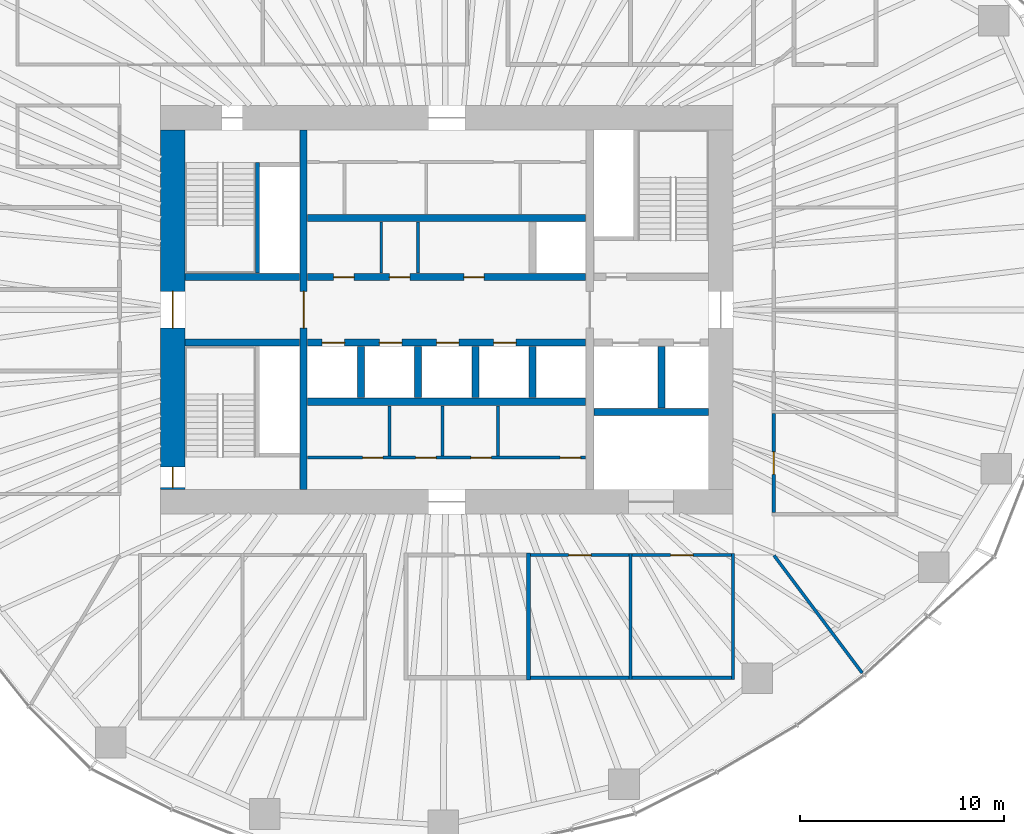
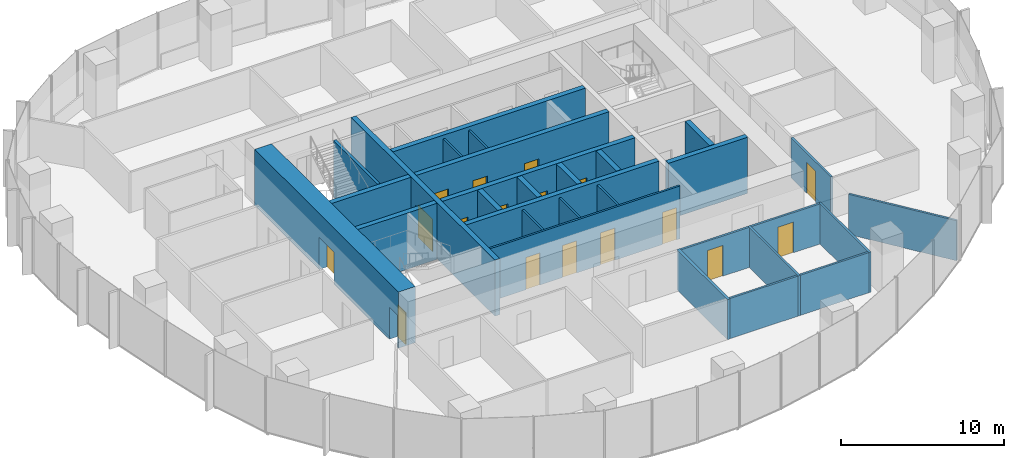
# One storey, part 9 of 18: 30 walls, 17 doors, 17 openings.
"""IFC4 building model written with IfcOpenShell, lengths in metres."""

from ifc_helpers import new_model, si_unit, direction, frame, frame_2d, origin, place, context, subcontext, project, spatial, rectangle, extrude, material, layer, layer_set, type_object, element, fill, save


model = new_model("IFC4")

# Units and contexts
model_context = context("Model", 3, precision=1e-05, world=origin(), true_north=direction((0.0, 1.0)))
body_context = subcontext(model_context, "Body", "Model", "MODEL_VIEW")
ifc_project = project(units=[si_unit("LENGTHUNIT", "METRE"), si_unit("AREAUNIT", "SQUARE_METRE"), si_unit("VOLUMEUNIT", "CUBIC_METRE"), si_unit("PLANEANGLEUNIT", "RADIAN"), si_unit("MASSUNIT", "GRAM", prefix="KILO")], contexts=[model_context])

# Site, building, storey
site_placement = place(None, origin())
site = spatial("IfcSite", under=ifc_project, at=site_placement, CompositionType="ELEMENT")
building_placement = place(site_placement, origin())
building = spatial("IfcBuilding", under=site, at=building_placement, Name="Ghaith Harvest Tower", CompositionType="ELEMENT")
storey_placement = place(building_placement, frame((0.0, 0.0, 130.199951171875)))
storey = spatial("IfcBuildingStorey", under=building, at=storey_placement, Name="L27", CompositionType="ELEMENT", Elevation=130.199951171875)

# Wall
ifc_material_1 = material(Name="Twin-stud gypsum board, acoustic", Category="gypsum")
ifc_layer_1 = layer(ifc_material_1, 0.199951171875)
ifc_layer_set_1 = layer_set([ifc_layer_1], Name="ACOUSTIC PARTITION 200")
wall_type_1 = type_object("IfcWallType", Name="ACOUSTIC PARTITION 200", PredefinedType="PARTITIONING", material=ifc_layer_set_1)
wall_1_placement = place(storey_placement, frame((4.0, -11.89990234375, 0.0), z_axis=(0.0, 0.0, 1.0), x_axis=(0.0, -1.0, 0.0)))
element("IfcWall", 1, at=wall_1_placement, inside=storey, type_object=wall_type_1, Name="Partition L27 row S5 cross wall 2", PredefinedType="PARTITIONING", context=body_context, shape_type="SweptSolid", body=[
    extrude(rectangle(XDim=6.2001953125, YDim=0.199951171875, at=frame_2d((3.10009765625, 0.0))), origin(), (0.0, 0.0, 1.0), 3.0),
])

# Wall, openings, doors
ifc_material_2 = material(Name="Concrete blockwork, fair-faced", Category="masonry")
ifc_layer_2 = layer(ifc_material_2, 0.139892578125)
ifc_layer_set_2 = layer_set([ifc_layer_2], Name="CORE PARTITION 140")
wall_type_2 = type_object("IfcWallType", Name="CORE PARTITION 140", PredefinedType="PARTITIONING", material=ifc_layer_set_2)
wall_2_placement = place(storey_placement, frame((-6.800048828125, -7.22998046875, 0.0), z_axis=(0.0, 0.0, 1.0), x_axis=(1.0, 0.0, 0.0)))
wall_2 = element("IfcWall", 2, at=wall_2_placement, inside=storey, type_object=wall_type_2, Name="Core partition L27", PredefinedType="PARTITIONING", context=body_context, shape_type="SweptSolid", body=[
    extrude(rectangle(XDim=13.60009765625, YDim=0.139892578125, at=frame_2d((6.800048828125, 0.0))), origin(), (0.0, 0.0, 1.0), 3.949951171875),
])
opening_1_placement = place(wall_2_placement, frame((2.679931640625, 0.0, 0.0)))
opening_1 = element("IfcOpeningElement", 3, at=opening_1_placement, cuts=wall_2, Name="Opening 27-012", PredefinedType="OPENING", context=body_context, shape_type="SweptSolid", body=[
    extrude(rectangle(XDim=1.0, YDim=2.39990234375, at=frame_2d((0.5, 1.199951171875))), frame((0.0, 0.080078125, 0.0), z_axis=(0.0, -1.0, 0.0), x_axis=(1.0, 0.0, 0.0)), (0.0, 0.0, 1.0), 0.159912109375),
])
opening_2_placement = place(wall_2_placement, frame((5.280029296875, 0.0, 0.0)))
opening_2 = element("IfcOpeningElement", 4, at=opening_2_placement, cuts=wall_2, Name="Opening 27-013", PredefinedType="OPENING", context=body_context, shape_type="SweptSolid", body=[
    extrude(rectangle(XDim=1.0, YDim=2.39990234375, at=frame_2d((0.5, 1.199951171875))), frame((0.0, 0.080078125, 0.0), z_axis=(0.0, -1.0, 0.0), x_axis=(1.0, 0.0, 0.0)), (0.0, 0.0, 1.0), 0.159912109375),
])
opening_3_placement = place(wall_2_placement, frame((7.97998046875, 0.0, 0.0)))
opening_3 = element("IfcOpeningElement", 5, at=opening_3_placement, cuts=wall_2, Name="Opening 27-014", PredefinedType="OPENING", context=body_context, shape_type="SweptSolid", body=[
    extrude(rectangle(XDim=1.0, YDim=2.39990234375, at=frame_2d((0.5, 1.199951171875))), frame((0.0, 0.080078125, 0.0), z_axis=(0.0, -1.0, 0.0), x_axis=(1.0, 0.0, 0.0)), (0.0, 0.0, 1.0), 0.159912109375),
])
opening_4_placement = place(wall_2_placement, frame((12.35009765625, 0.0, 0.0)))
opening_4 = element("IfcOpeningElement", 6, at=opening_4_placement, cuts=wall_2, Name="Opening 27-015", PredefinedType="OPENING", context=body_context, shape_type="SweptSolid", body=[
    extrude(rectangle(XDim=1.0, YDim=2.39990234375, at=frame_2d((0.5, 1.199951171875))), frame((0.0, 0.080078125, 0.0), z_axis=(0.0, -1.0, 0.0), x_axis=(1.0, 0.0, 0.0)), (0.0, 0.0, 1.0), 0.159912109375),
])
ifc_material_3 = material(Name="Steel fire door", Category="steel")
door_type_1 = type_object("IfcDoorType", Name="D3 FD90 1000x2400", OperationType="SINGLE_SWING_LEFT", PredefinedType="DOOR", material=ifc_material_3)
door_1_placement = place(opening_1_placement, origin())
door_1 = element("IfcDoor", 7, at=door_1_placement, inside=storey, type_object=door_type_1, Name="Electrical room door", OperationType="SINGLE_SWING_LEFT", OverallHeight=2.39990234375, OverallWidth=1.0, PredefinedType="DOOR", context=body_context, shape_type="SweptSolid", body=[
    extrude(rectangle(XDim=1.0, YDim=2.39990234375, at=frame_2d((0.5, 1.199951171875))), frame((0.0, 0.02490234375, 0.0), z_axis=(0.0, -1.0, 0.0), x_axis=(1.0, 0.0, 0.0)), (0.0, 0.0, 1.0), 0.050048828125),
])
fill(opening_1, door_1)
door_2_placement = place(opening_2_placement, origin())
door_2 = element("IfcDoor", 8, at=door_2_placement, inside=storey, type_object=door_type_1, Name="Communications equipment room door", OperationType="SINGLE_SWING_LEFT", OverallHeight=2.39990234375, OverallWidth=1.0, PredefinedType="DOOR", context=body_context, shape_type="SweptSolid", body=[
    extrude(rectangle(XDim=1.0, YDim=2.39990234375, at=frame_2d((0.5, 1.199951171875))), frame((0.0, 0.02490234375, 0.0), z_axis=(0.0, -1.0, 0.0), x_axis=(1.0, 0.0, 0.0)), (0.0, 0.0, 1.0), 0.050048828125),
])
fill(opening_2, door_2)
door_3_placement = place(opening_3_placement, origin())
door_3 = element("IfcDoor", 9, at=door_3_placement, inside=storey, type_object=door_type_1, Name="Staff WC door", OperationType="SINGLE_SWING_RIGHT", OverallHeight=2.39990234375, OverallWidth=1.0, PredefinedType="DOOR", context=body_context, shape_type="SweptSolid", body=[
    extrude(rectangle(XDim=1.0, YDim=2.39990234375, at=frame_2d((0.5, 1.199951171875))), frame((0.0, 0.02490234375, 0.0), z_axis=(0.0, -1.0, 0.0), x_axis=(1.0, 0.0, 0.0)), (0.0, 0.0, 1.0), 0.050048828125),
])
fill(opening_3, door_3)
door_4_placement = place(opening_4_placement, origin())
door_4 = element("IfcDoor", 10, at=door_4_placement, inside=storey, type_object=door_type_1, Name="Riser room door", OperationType="SINGLE_SWING_RIGHT", OverallHeight=2.39990234375, OverallWidth=1.0, PredefinedType="DOOR", context=body_context, shape_type="SweptSolid", body=[
    extrude(rectangle(XDim=1.0, YDim=2.39990234375, at=frame_2d((0.5, 1.199951171875))), frame((0.0, 0.02490234375, 0.0), z_axis=(0.0, -1.0, 0.0), x_axis=(1.0, 0.0, 0.0)), (0.0, 0.0, 1.0), 0.050048828125),
])
fill(opening_4, door_4)

# Walls
for number, where, z_axis, x_axis, name in (
    (11, (-2.800048828125, -4.699951171875, 0.0), (0.0, 0.0, 1.0), (0.0, -1.0, 0.0), "Core partition L27"),
    (12, (-0.199951171875, -4.699951171875, 0.0), (0.0, 0.0, 1.0), (0.0, -1.0, 0.0), "Core partition L27"),
    (13, (2.5, -4.699951171875, 0.0), (0.0, 0.0, 1.0), (0.0, -1.0, 0.0), "Core partition L27"),
):
    element("IfcWall", number, at=place(storey_placement, frame(where, z_axis=z_axis, x_axis=x_axis)), inside=storey, type_object=wall_type_2, Name=name, PredefinedType="PARTITIONING", context=body_context, shape_type="SweptSolid", body=[
        extrude(rectangle(XDim=2.4599609375, YDim=0.139892578125, at=frame_2d((1.22998046875, 0.0))), origin(), (0.0, 0.0, 1.0), 3.949951171875),
    ])
for number, where, z_axis, x_axis, name in (
    (14, (-3.199951171875, 1.800048828125, 0.0), (0.0, 0.0, 1.0), (0.0, 1.0, 0.0), "Core partition L27"),
    (15, (-1.39990234375, 1.800048828125, 0.0), (0.0, 0.0, 1.0), (0.0, 1.0, 0.0), "Core partition L27"),
):
    element("IfcWall", number, at=place(storey_placement, frame(where, z_axis=z_axis, x_axis=x_axis)), inside=storey, type_object=wall_type_2, Name=name, PredefinedType="PARTITIONING", context=body_context, shape_type="SweptSolid", body=[
        extrude(rectangle(XDim=2.5, YDim=0.139892578125, at=frame_2d((1.25, 0.0))), origin(), (0.0, 0.0, 1.0), 3.949951171875),
    ])

# Wall, openings, doors
ifc_material_4 = material(Name="Concrete C60/75", Category="concrete")
ifc_layer_3 = layer(ifc_material_4, 1.199951171875)
ifc_layer_set_3 = layer_set([ifc_layer_3], Name="CORE WALL CW1200 C60")
wall_type_3 = type_object("IfcWallType", Name="CORE WALL CW1200 C60", PredefinedType="SHEAR", material=ifc_layer_set_3)
wall_3_placement = place(storey_placement, frame((-13.39990234375, 8.800048828125, 0.0), z_axis=(0.0, 0.0, 1.0), x_axis=(0.0, -1.0, 0.0)))
wall_3 = element("IfcWall", 16, at=wall_3_placement, inside=storey, type_object=wall_type_3, Name="Core wall W L27", PredefinedType="SHEAR", context=body_context, shape_type="SweptSolid", body=[
    extrude(rectangle(XDim=17.60009765625, YDim=1.199951171875, at=frame_2d((8.800048828125, 0.0))), origin(), (0.0, 0.0, 1.0), 4.199951171875),
])
opening_5_placement = place(wall_3_placement, frame((7.89990234375, 0.0, 0.0)))
opening_5 = element("IfcOpeningElement", 17, at=opening_5_placement, cuts=wall_3, Name="Opening 27-001", PredefinedType="OPENING", context=body_context, shape_type="SweptSolid", body=[
    extrude(rectangle(XDim=1.800048828125, YDim=2.39990234375, at=frame_2d((0.89990234375, 1.199951171875))), frame((0.0, 0.60986328125, 0.0), z_axis=(0.0, -1.0, 0.0), x_axis=(1.0, 0.0, 0.0)), (0.0, 0.0, 1.0), 1.219970703125),
])
opening_6_placement = place(wall_3_placement, frame((16.5, 0.0, 0.0)))
opening_6 = element("IfcOpeningElement", 18, at=opening_6_placement, cuts=wall_3, Name="Opening 27-006", PredefinedType="OPENING", context=body_context, shape_type="SweptSolid", body=[
    extrude(rectangle(XDim=1.0, YDim=2.39990234375, at=frame_2d((0.5, 1.199951171875))), frame((0.0, 0.60986328125, 0.0), z_axis=(0.0, -1.0, 0.0), x_axis=(1.0, 0.0, 0.0)), (0.0, 0.0, 1.0), 1.219970703125),
])
door_5_placement = place(opening_6_placement, origin())
door_5 = element("IfcDoor", 19, at=door_5_placement, inside=storey, type_object=door_type_1, Name="Stair ST3 door", OperationType="SINGLE_SWING_RIGHT", OverallHeight=2.39990234375, OverallWidth=1.0, PredefinedType="DOOR", context=body_context, shape_type="SweptSolid", body=[
    extrude(rectangle(XDim=1.0, YDim=2.39990234375, at=frame_2d((0.5, 1.199951171875))), frame((0.0, 0.02490234375, 0.0), z_axis=(0.0, -1.0, 0.0), x_axis=(1.0, 0.0, 0.0)), (0.0, 0.0, 1.0), 0.050048828125),
])
fill(opening_6, door_5)
ifc_material_5 = material(Name="Steel fire door", Category="steel")
door_type_2 = type_object("IfcDoorType", Name="D4 FD90 PAIR 1800x2400", OperationType="DOUBLE_DOOR_SINGLE_SWING", PredefinedType="DOOR", material=ifc_material_5)
door_6_placement = place(opening_5_placement, origin())
door_6 = element("IfcDoor", 20, at=door_6_placement, inside=storey, type_object=door_type_2, Name="West lobby doors", OperationType="DOUBLE_DOOR_SINGLE_SWING", OverallHeight=2.39990234375, OverallWidth=1.800048828125, PredefinedType="DOOR", context=body_context, shape_type="SweptSolid", body=[
    extrude(rectangle(XDim=1.800048828125, YDim=2.39990234375, at=frame_2d((0.89990234375, 1.199951171875))), frame((0.0, 0.02490234375, 0.0), z_axis=(0.0, -1.0, 0.0), x_axis=(1.0, 0.0, 0.0)), (0.0, 0.0, 1.0), 0.050048828125),
])
fill(opening_5, door_6)

# Wall, opening, door
ifc_material_6 = material(Name="Gypsum board on steel studs", Category="steel")
ifc_layer_4 = layer(ifc_material_6, 0.14990234375)
ifc_layer_set_4 = layer_set([ifc_layer_4], Name="PARTITION 150")
wall_type_4 = type_object("IfcWallType", Name="PARTITION 150", PredefinedType="PARTITIONING", material=ifc_layer_set_4)
wall_4_placement = place(storey_placement, frame((16.0, -9.925048828125, 0.0), z_axis=(0.0, 0.0, 1.0), x_axis=(0.0, 1.0, 0.0)))
wall_4 = element("IfcWall", 21, at=wall_4_placement, inside=storey, type_object=wall_type_4, Name="Partition L27-06", PredefinedType="PARTITIONING", context=body_context, shape_type="SweptSolid", body=[
    extrude(rectangle(XDim=4.85009765625, YDim=0.14990234375, at=frame_2d((2.425048828125, 0.0))), origin(), (0.0, 0.0, 1.0), 3.0),
])
opening_7_placement = place(wall_4_placement, frame((1.875, 0.0, 0.0)))
opening_7 = element("IfcOpeningElement", 22, at=opening_7_placement, cuts=wall_4, Name="Opening 27-033", PredefinedType="OPENING", context=body_context, shape_type="SweptSolid", body=[
    extrude(rectangle(XDim=1.10009765625, YDim=2.300048828125, at=frame_2d((0.550048828125, 1.14990234375))), frame((0.0, 0.0849609375, 0.0), z_axis=(0.0, -1.0, 0.0), x_axis=(1.0, 0.0, 0.0)), (0.0, 0.0, 1.0), 0.169921875),
])
ifc_material_7 = material(Name="Timber-framed glazed door", Category="wood")
door_type_3 = type_object("IfcDoorType", Name="D12 GLAZED OFFICE 1100x2300", OperationType="SINGLE_SWING_LEFT", PredefinedType="DOOR", material=ifc_material_7)
door_7_placement = place(opening_7_placement, origin())
door_7 = element("IfcDoor", 23, at=door_7_placement, inside=storey, type_object=door_type_3, Name="Office door", OperationType="SINGLE_SWING_LEFT", OverallHeight=2.300048828125, OverallWidth=1.10009765625, PredefinedType="DOOR", context=body_context, shape_type="SweptSolid", body=[
    extrude(rectangle(XDim=1.10009765625, YDim=2.300048828125, at=frame_2d((0.550048828125, 1.14990234375))), frame((0.0, 0.02490234375, 0.0), z_axis=(0.0, -1.0, 0.0), x_axis=(1.0, 0.0, 0.0)), (0.0, 0.0, 1.0), 0.050048828125),
])
fill(opening_7, door_7)

# Walls
for number, where, z_axis, x_axis, name in (
    (24, (9.0, -11.925048828125, 0.0), (0.0, 0.0, 1.0), (0.0, -1.0, 0.0), "Partition L27 row S5 cross wall 3"),
    (25, (14.0, -11.925048828125, 0.0), (0.0, 0.0, 1.0), (0.0, -1.0, 0.0), "Partition L27 row S5 cross wall 4"),
):
    element("IfcWall", number, at=place(storey_placement, frame(where, z_axis=z_axis, x_axis=x_axis)), inside=storey, type_object=wall_type_4, Name=name, PredefinedType="PARTITIONING", context=body_context, shape_type="SweptSolid", body=[
        extrude(rectangle(XDim=6.14990234375, YDim=0.14990234375, at=frame_2d((3.074951171875, 0.0))), origin(), (0.0, 0.0, 1.0), 3.0),
    ])

# Wall, opening, door
wall_5_placement = place(storey_placement, frame((4.10009765625, -12.0, 0.0), z_axis=(0.0, 0.0, 1.0), x_axis=(1.0, 0.0, 0.0)))
wall_5 = element("IfcWall", 26, at=wall_5_placement, inside=storey, type_object=wall_type_4, Name="Partition L27-13", PredefinedType="PARTITIONING", context=body_context, shape_type="SweptSolid", body=[
    extrude(rectangle(XDim=4.824951171875, YDim=0.14990234375, at=frame_2d((2.41259765625, 0.0))), origin(), (0.0, 0.0, 1.0), 3.0),
])
opening_8_placement = place(wall_5_placement, frame((1.862548828125, 0.0, 0.0)))
opening_8 = element("IfcOpeningElement", 27, at=opening_8_placement, cuts=wall_5, Name="Opening 27-040", PredefinedType="OPENING", context=body_context, shape_type="SweptSolid", body=[
    extrude(rectangle(XDim=1.10009765625, YDim=2.300048828125, at=frame_2d((0.550048828125, 1.14990234375))), frame((0.0, 0.0849609375, 0.0), z_axis=(0.0, -1.0, 0.0), x_axis=(1.0, 0.0, 0.0)), (0.0, 0.0, 1.0), 0.169921875),
])
door_8_placement = place(opening_8_placement, origin())
door_8 = element("IfcDoor", 28, at=door_8_placement, inside=storey, type_object=door_type_3, Name="Office door", OperationType="SINGLE_SWING_LEFT", OverallHeight=2.300048828125, OverallWidth=1.10009765625, PredefinedType="DOOR", context=body_context, shape_type="SweptSolid", body=[
    extrude(rectangle(XDim=1.10009765625, YDim=2.300048828125, at=frame_2d((0.550048828125, 1.14990234375))), frame((0.0, 0.02490234375, 0.0), z_axis=(0.0, -1.0, 0.0), x_axis=(1.0, 0.0, 0.0)), (0.0, 0.0, 1.0), 0.050048828125),
])
fill(opening_8, door_8)

# Wall
wall_6_placement = place(storey_placement, frame((4.10009765625, -18.0, 0.0), z_axis=(0.0, 0.0, 1.0), x_axis=(1.0, 0.0, 0.0)))
element("IfcWall", 29, at=wall_6_placement, inside=storey, type_object=wall_type_4, Name="Partition L27-13", PredefinedType="PARTITIONING", context=body_context, shape_type="SweptSolid", body=[
    extrude(rectangle(XDim=4.824951171875, YDim=0.14990234375, at=frame_2d((2.41259765625, 0.0))), origin(), (0.0, 0.0, 1.0), 3.0),
])

# Wall, opening, door
wall_7_placement = place(storey_placement, frame((9.074951171875, -12.0, 0.0), z_axis=(0.0, 0.0, 1.0), x_axis=(1.0, 0.0, 0.0)))
wall_7 = element("IfcWall", 30, at=wall_7_placement, inside=storey, type_object=wall_type_4, Name="Partition L27-14", PredefinedType="PARTITIONING", context=body_context, shape_type="SweptSolid", body=[
    extrude(rectangle(XDim=4.85009765625, YDim=0.14990234375, at=frame_2d((2.425048828125, 0.0))), origin(), (0.0, 0.0, 1.0), 3.0),
])
opening_9_placement = place(wall_7_placement, frame((1.875, 0.0, 0.0)))
opening_9 = element("IfcOpeningElement", 31, at=opening_9_placement, cuts=wall_7, Name="Opening 27-041", PredefinedType="OPENING", context=body_context, shape_type="SweptSolid", body=[
    extrude(rectangle(XDim=1.10009765625, YDim=2.300048828125, at=frame_2d((0.550048828125, 1.14990234375))), frame((0.0, 0.0849609375, 0.0), z_axis=(0.0, -1.0, 0.0), x_axis=(1.0, 0.0, 0.0)), (0.0, 0.0, 1.0), 0.169921875),
])
door_9_placement = place(opening_9_placement, origin())
door_9 = element("IfcDoor", 32, at=door_9_placement, inside=storey, type_object=door_type_3, Name="Office door", OperationType="SINGLE_SWING_LEFT", OverallHeight=2.300048828125, OverallWidth=1.10009765625, PredefinedType="DOOR", context=body_context, shape_type="SweptSolid", body=[
    extrude(rectangle(XDim=1.10009765625, YDim=2.300048828125, at=frame_2d((0.550048828125, 1.14990234375))), frame((0.0, 0.02490234375, 0.0), z_axis=(0.0, -1.0, 0.0), x_axis=(1.0, 0.0, 0.0)), (0.0, 0.0, 1.0), 0.050048828125),
])
fill(opening_9, door_9)

# Walls
wall_8_placement = place(storey_placement, frame((9.074951171875, -18.0, 0.0), z_axis=(0.0, 0.0, 1.0), x_axis=(1.0, 0.0, 0.0)))
element("IfcWall", 33, at=wall_8_placement, inside=storey, type_object=wall_type_4, Name="Partition L27-14", PredefinedType="PARTITIONING", context=body_context, shape_type="SweptSolid", body=[
    extrude(rectangle(XDim=4.85009765625, YDim=0.14990234375, at=frame_2d((2.425048828125, 0.0))), origin(), (0.0, 0.0, 1.0), 3.0),
])
wall_9_placement = place(storey_placement, frame((16.011962890625, -12.01611328125, 0.0), z_axis=(0.0, 0.0, 1.0), x_axis=(0.600059749679, -0.799955184254, 0.0)))
element("IfcWall", 34, at=wall_9_placement, inside=storey, type_object=wall_type_4, Name="Partition L27 zone division", PredefinedType="PARTITIONING", context=body_context, shape_type="SweptSolid", body=[
    extrude(rectangle(XDim=7.191162109375, YDim=0.14990234375, at=frame_2d((3.595703125, 0.0))), origin(), (0.0, 0.0, 1.0), 3.0),
])

# Wall, opening, door
ifc_material_8 = material(Name="Concrete C60/75", Category="concrete")
ifc_layer_5 = layer(ifc_material_8, 0.35009765625)
ifc_layer_set_5 = layer_set([ifc_layer_5], Name="SHAFT WALL 350")
wall_type_5 = type_object("IfcWallType", Name="SHAFT WALL 350", PredefinedType="SHEAR", material=ifc_layer_set_5)
wall_10_placement = place(storey_placement, frame((-7.0, -8.800048828125, 0.0), z_axis=(0.0, 0.0, 1.0), x_axis=(0.0, 1.0, 0.0)))
wall_10 = element("IfcWall", 35, at=wall_10_placement, inside=storey, type_object=wall_type_5, Name="Shaft wall W7W L27", PredefinedType="SHEAR", context=body_context, shape_type="SweptSolid", body=[
    extrude(rectangle(XDim=17.60009765625, YDim=0.35009765625, at=frame_2d((8.800048828125, 0.0))), origin(), (0.0, 0.0, 1.0), 4.199951171875),
])
opening_10_placement = place(wall_10_placement, frame((7.89990234375, 0.0, 0.0)))
opening_10 = element("IfcOpeningElement", 36, at=opening_10_placement, cuts=wall_10, Name="Opening 27-003", PredefinedType="OPENING", context=body_context, shape_type="SweptSolid", body=[
    extrude(rectangle(XDim=1.800048828125, YDim=2.39990234375, at=frame_2d((0.89990234375, 1.199951171875))), frame((0.0, 0.18505859375, 0.0), z_axis=(0.0, -1.0, 0.0), x_axis=(1.0, 0.0, 0.0)), (0.0, 0.0, 1.0), 0.3701171875),
])
door_10_placement = place(opening_10_placement, origin())
door_10 = element("IfcDoor", 37, at=door_10_placement, inside=storey, type_object=door_type_2, Name="Lift lobby doors, west", OperationType="DOUBLE_DOOR_SINGLE_SWING", OverallHeight=2.39990234375, OverallWidth=1.800048828125, PredefinedType="DOOR", context=body_context, shape_type="SweptSolid", body=[
    extrude(rectangle(XDim=1.800048828125, YDim=2.39990234375, at=frame_2d((0.89990234375, 1.199951171875))), frame((0.0, 0.02490234375, 0.0), z_axis=(0.0, -1.0, 0.0), x_axis=(1.0, 0.0, 0.0)), (0.0, 0.0, 1.0), 0.050048828125),
])
fill(opening_10, door_10)

# Wall, openings, doors
wall_11_placement = place(storey_placement, frame((-6.800048828125, 1.60009765625, 0.0), z_axis=(0.0, 0.0, 1.0), x_axis=(1.0, 0.0, 0.0)))
wall_11 = element("IfcWall", 38, at=wall_11_placement, inside=storey, type_object=wall_type_5, Name="Shaft wall LN L27", PredefinedType="SHEAR", context=body_context, shape_type="SweptSolid", body=[
    extrude(rectangle(XDim=13.60009765625, YDim=0.35009765625, at=frame_2d((6.800048828125, 0.0))), origin(), (0.0, 0.0, 1.0), 4.199951171875),
])
opening_11_placement = place(wall_11_placement, frame((1.264892578125, 0.0, 0.0)))
opening_11 = element("IfcOpeningElement", 39, at=opening_11_placement, cuts=wall_11, Name="Opening 27-016", PredefinedType="OPENING", context=body_context, shape_type="SweptSolid", body=[
    extrude(rectangle(XDim=1.0, YDim=2.39990234375, at=frame_2d((0.5, 1.199951171875))), frame((0.0, 0.18505859375, 0.0), z_axis=(0.0, -1.0, 0.0), x_axis=(1.0, 0.0, 0.0)), (0.0, 0.0, 1.0), 0.3701171875),
])
opening_12_placement = place(wall_11_placement, frame((4.0, 0.0, 0.0)))
opening_12 = element("IfcOpeningElement", 40, at=opening_12_placement, cuts=wall_11, Name="Opening 27-017", PredefinedType="OPENING", context=body_context, shape_type="SweptSolid", body=[
    extrude(rectangle(XDim=1.0, YDim=2.39990234375, at=frame_2d((0.5, 1.199951171875))), frame((0.0, 0.18505859375, 0.0), z_axis=(0.0, -1.0, 0.0), x_axis=(1.0, 0.0, 0.0)), (0.0, 0.0, 1.0), 0.3701171875),
])
opening_13_placement = place(wall_11_placement, frame((7.635009765625, 0.0, 0.0)))
opening_13 = element("IfcOpeningElement", 41, at=opening_13_placement, cuts=wall_11, Name="Opening 27-018", PredefinedType="OPENING", context=body_context, shape_type="SweptSolid", body=[
    extrude(rectangle(XDim=1.0, YDim=2.39990234375, at=frame_2d((0.5, 1.199951171875))), frame((0.0, 0.18505859375, 0.0), z_axis=(0.0, -1.0, 0.0), x_axis=(1.0, 0.0, 0.0)), (0.0, 0.0, 1.0), 0.3701171875),
])
door_11_placement = place(opening_11_placement, origin())
door_11 = element("IfcDoor", 42, at=door_11_placement, inside=storey, type_object=door_type_1, Name="Security room door", OperationType="SINGLE_SWING_LEFT", OverallHeight=2.39990234375, OverallWidth=1.0, PredefinedType="DOOR", context=body_context, shape_type="SweptSolid", body=[
    extrude(rectangle(XDim=1.0, YDim=2.39990234375, at=frame_2d((0.5, 1.199951171875))), frame((0.0, 0.02490234375, 0.0), z_axis=(0.0, -1.0, 0.0), x_axis=(1.0, 0.0, 0.0)), (0.0, 0.0, 1.0), 0.050048828125),
])
fill(opening_11, door_11)
door_12_placement = place(opening_12_placement, origin())
door_12 = element("IfcDoor", 43, at=door_12_placement, inside=storey, type_object=door_type_1, Name="IT equipment room door", OperationType="SINGLE_SWING_LEFT", OverallHeight=2.39990234375, OverallWidth=1.0, PredefinedType="DOOR", context=body_context, shape_type="SweptSolid", body=[
    extrude(rectangle(XDim=1.0, YDim=2.39990234375, at=frame_2d((0.5, 1.199951171875))), frame((0.0, 0.02490234375, 0.0), z_axis=(0.0, -1.0, 0.0), x_axis=(1.0, 0.0, 0.0)), (0.0, 0.0, 1.0), 0.050048828125),
])
fill(opening_12, door_12)
door_13_placement = place(opening_13_placement, origin())
door_13 = element("IfcDoor", 44, at=door_13_placement, inside=storey, type_object=door_type_1, Name="IT equipment room door", OperationType="SINGLE_SWING_RIGHT", OverallHeight=2.39990234375, OverallWidth=1.0, PredefinedType="DOOR", context=body_context, shape_type="SweptSolid", body=[
    extrude(rectangle(XDim=1.0, YDim=2.39990234375, at=frame_2d((0.5, 1.199951171875))), frame((0.0, 0.02490234375, 0.0), z_axis=(0.0, -1.0, 0.0), x_axis=(1.0, 0.0, 0.0)), (0.0, 0.0, 1.0), 0.050048828125),
])
fill(opening_13, door_13)

wall_12_placement = place(storey_placement, frame((-6.800048828125, -1.60009765625, 0.0), z_axis=(0.0, 0.0, 1.0), x_axis=(1.0, 0.0, 0.0)))
wall_12 = element("IfcWall", 45, at=wall_12_placement, inside=storey, type_object=wall_type_5, Name="Shaft wall LS L27", PredefinedType="SHEAR", context=body_context, shape_type="SweptSolid", body=[
    extrude(rectangle(XDim=13.60009765625, YDim=0.35009765625, at=frame_2d((6.800048828125, 0.0))), origin(), (0.0, 0.0, 1.0), 4.199951171875),
])
opening_14_placement = place(wall_12_placement, frame((0.699951171875, 0.0, 0.0)))
opening_14 = element("IfcOpeningElement", 46, at=opening_14_placement, cuts=wall_12, Name="Opening 27-021", PredefinedType="OPENING", context=body_context, shape_type="SweptSolid", body=[
    extrude(rectangle(XDim=1.10009765625, YDim=2.39990234375, at=frame_2d((0.550048828125, 1.199951171875))), frame((0.0, 0.18505859375, 0.0), z_axis=(0.0, -1.0, 0.0), x_axis=(1.0, 0.0, 0.0)), (0.0, 0.0, 1.0), 0.3701171875),
])
opening_15_placement = place(wall_12_placement, frame((3.5, 0.0, 0.0)))
opening_15 = element("IfcOpeningElement", 47, at=opening_15_placement, cuts=wall_12, Name="Opening 27-022", PredefinedType="OPENING", context=body_context, shape_type="SweptSolid", body=[
    extrude(rectangle(XDim=1.10009765625, YDim=2.39990234375, at=frame_2d((0.550048828125, 1.199951171875))), frame((0.0, 0.18505859375, 0.0), z_axis=(0.0, -1.0, 0.0), x_axis=(1.0, 0.0, 0.0)), (0.0, 0.0, 1.0), 0.3701171875),
])
opening_16_placement = place(wall_12_placement, frame((6.300048828125, 0.0, 0.0)))
opening_16 = element("IfcOpeningElement", 48, at=opening_16_placement, cuts=wall_12, Name="Opening 27-023", PredefinedType="OPENING", context=body_context, shape_type="SweptSolid", body=[
    extrude(rectangle(XDim=1.10009765625, YDim=2.39990234375, at=frame_2d((0.550048828125, 1.199951171875))), frame((0.0, 0.18505859375, 0.0), z_axis=(0.0, -1.0, 0.0), x_axis=(1.0, 0.0, 0.0)), (0.0, 0.0, 1.0), 0.3701171875),
])
opening_17_placement = place(wall_12_placement, frame((9.10009765625, 0.0, 0.0)))
opening_17 = element("IfcOpeningElement", 49, at=opening_17_placement, cuts=wall_12, Name="Opening 27-024", PredefinedType="OPENING", context=body_context, shape_type="SweptSolid", body=[
    extrude(rectangle(XDim=1.10009765625, YDim=2.39990234375, at=frame_2d((0.550048828125, 1.199951171875))), frame((0.0, 0.18505859375, 0.0), z_axis=(0.0, -1.0, 0.0), x_axis=(1.0, 0.0, 0.0)), (0.0, 0.0, 1.0), 0.3701171875),
])
ifc_material_9 = material(Name="Steel fire door", Category="steel")
door_type_4 = type_object("IfcDoorType", Name="LD1 LANDING 1100x2400", OperationType="DOUBLE_DOOR_SLIDING", PredefinedType="DOOR", material=ifc_material_9)
door_14_placement = place(opening_14_placement, origin())
door_14 = element("IfcDoor", 50, at=door_14_placement, inside=storey, type_object=door_type_4, Name="Landing door, lift LR1", OperationType="DOUBLE_DOOR_SLIDING", OverallHeight=2.39990234375, OverallWidth=1.10009765625, PredefinedType="DOOR", context=body_context, shape_type="SweptSolid", body=[
    extrude(rectangle(XDim=1.10009765625, YDim=2.39990234375, at=frame_2d((0.550048828125, 1.199951171875))), frame((0.0, 0.02490234375, 0.0), z_axis=(0.0, -1.0, 0.0), x_axis=(1.0, 0.0, 0.0)), (0.0, 0.0, 1.0), 0.050048828125),
])
fill(opening_14, door_14)
door_15_placement = place(opening_15_placement, origin())
door_15 = element("IfcDoor", 51, at=door_15_placement, inside=storey, type_object=door_type_4, Name="Landing door, lift LR2", OperationType="DOUBLE_DOOR_SLIDING", OverallHeight=2.39990234375, OverallWidth=1.10009765625, PredefinedType="DOOR", context=body_context, shape_type="SweptSolid", body=[
    extrude(rectangle(XDim=1.10009765625, YDim=2.39990234375, at=frame_2d((0.550048828125, 1.199951171875))), frame((0.0, 0.02490234375, 0.0), z_axis=(0.0, -1.0, 0.0), x_axis=(1.0, 0.0, 0.0)), (0.0, 0.0, 1.0), 0.050048828125),
])
fill(opening_15, door_15)
door_16_placement = place(opening_16_placement, origin())
door_16 = element("IfcDoor", 52, at=door_16_placement, inside=storey, type_object=door_type_4, Name="Landing door, lift LR3", OperationType="DOUBLE_DOOR_SLIDING", OverallHeight=2.39990234375, OverallWidth=1.10009765625, PredefinedType="DOOR", context=body_context, shape_type="SweptSolid", body=[
    extrude(rectangle(XDim=1.10009765625, YDim=2.39990234375, at=frame_2d((0.550048828125, 1.199951171875))), frame((0.0, 0.02490234375, 0.0), z_axis=(0.0, -1.0, 0.0), x_axis=(1.0, 0.0, 0.0)), (0.0, 0.0, 1.0), 0.050048828125),
])
fill(opening_16, door_16)
door_17_placement = place(opening_17_placement, origin())
door_17 = element("IfcDoor", 53, at=door_17_placement, inside=storey, type_object=door_type_4, Name="Landing door, lift LR4", OperationType="DOUBLE_DOOR_SLIDING", OverallHeight=2.39990234375, OverallWidth=1.10009765625, PredefinedType="DOOR", context=body_context, shape_type="SweptSolid", body=[
    extrude(rectangle(XDim=1.10009765625, YDim=2.39990234375, at=frame_2d((0.550048828125, 1.199951171875))), frame((0.0, 0.02490234375, 0.0), z_axis=(0.0, -1.0, 0.0), x_axis=(1.0, 0.0, 0.0)), (0.0, 0.0, 1.0), 0.050048828125),
])
fill(opening_17, door_17)

# Walls
for number, where, z_axis, x_axis, name in (
    (54, (-6.800048828125, 4.5, 0.0), (0.0, 0.0, 1.0), (1.0, 0.0, 0.0), "Shaft wall BN L27"),
    (55, (-6.800048828125, -4.5, 0.0), (0.0, 0.0, 1.0), (1.0, 0.0, 0.0), "Shaft wall BS L27"),
):
    element("IfcWall", number, at=place(storey_placement, frame(where, z_axis=z_axis, x_axis=x_axis)), inside=storey, type_object=wall_type_5, Name=name, PredefinedType="SHEAR", context=body_context, shape_type="SweptSolid", body=[
        extrude(rectangle(XDim=13.60009765625, YDim=0.35009765625, at=frame_2d((6.800048828125, 0.0))), origin(), (0.0, 0.0, 1.0), 4.199951171875),
    ])
for number, where, z_axis, x_axis, name in (
    (56, (-12.800048828125, 1.60009765625, 0.0), (0.0, 0.0, 1.0), (1.0, 0.0, 0.0), "Shaft wall WN L27"),
    (57, (-12.800048828125, -1.60009765625, 0.0), (0.0, 0.0, 1.0), (1.0, 0.0, 0.0), "Shaft wall WS L27"),
):
    element("IfcWall", number, at=place(storey_placement, frame(where, z_axis=z_axis, x_axis=x_axis)), inside=storey, type_object=wall_type_5, Name=name, PredefinedType="SHEAR", context=body_context, shape_type="SweptSolid", body=[
        extrude(rectangle(XDim=5.60009765625, YDim=0.35009765625, at=frame_2d((2.800048828125, 0.0))), origin(), (0.0, 0.0, 1.0), 4.199951171875),
    ])
wall_13_placement = place(storey_placement, frame((10.5, -4.800048828125, 0.0), z_axis=(0.0, 0.0, 1.0), x_axis=(0.0, 1.0, 0.0)))
element("IfcWall", 58, at=wall_13_placement, inside=storey, type_object=wall_type_5, Name="Shaft wall FLD L27", PredefinedType="SHEAR", context=body_context, shape_type="SweptSolid", body=[
    extrude(rectangle(XDim=3.0, YDim=0.35009765625, at=frame_2d((1.5, 0.0))), origin(), (0.0, 0.0, 1.0), 4.199951171875),
])
wall_14_placement = place(storey_placement, frame((7.199951171875, -5.0, 0.0), z_axis=(0.0, 0.0, 1.0), x_axis=(1.0, 0.0, 0.0)))
element("IfcWall", 59, at=wall_14_placement, inside=storey, type_object=wall_type_5, Name="Shaft wall FLB L27", PredefinedType="SHEAR", context=body_context, shape_type="SweptSolid", body=[
    extrude(rectangle(XDim=5.60009765625, YDim=0.35009765625, at=frame_2d((2.800048828125, 0.0))), origin(), (0.0, 0.0, 1.0), 4.199951171875),
])
for number, where, z_axis, x_axis, name in (
    (60, (-4.199951171875, -4.300048828125, 0.0), (0.0, 0.0, 1.0), (0.0, 1.0, 0.0), "Shaft wall DS1 L27"),
    (61, (-1.39990234375, -4.300048828125, 0.0), (0.0, 0.0, 1.0), (0.0, 1.0, 0.0), "Shaft wall DS2 L27"),
    (62, (1.39990234375, -4.300048828125, 0.0), (0.0, 0.0, 1.0), (0.0, 1.0, 0.0), "Shaft wall DS3 L27"),
    (63, (4.199951171875, -4.300048828125, 0.0), (0.0, 0.0, 1.0), (0.0, 1.0, 0.0), "Shaft wall DS4 L27"),
):
    element("IfcWall", number, at=place(storey_placement, frame(where, z_axis=z_axis, x_axis=x_axis)), inside=storey, type_object=wall_type_5, Name=name, PredefinedType="SHEAR", context=body_context, shape_type="SweptSolid", body=[
        extrude(rectangle(XDim=2.5, YDim=0.35009765625, at=frame_2d((1.25, 0.0))), origin(), (0.0, 0.0, 1.0), 4.199951171875),
    ])
ifc_material_10 = material(Name="Concrete C40/50", Category="concrete")
ifc_layer_6 = layer(ifc_material_10, 0.199951171875)
ifc_layer_set_6 = layer_set([ifc_layer_6], Name="STAIR SPINE WALL RC200")
wall_type_6 = type_object("IfcWallType", Name="STAIR SPINE WALL RC200", PredefinedType="SOLIDWALL", material=ifc_layer_set_6)
wall_15_placement = place(storey_placement, frame((-9.25, 7.199951171875, 0.0), z_axis=(0.0, 0.0, 1.0), x_axis=(0.0, -1.0, 0.0)))
element("IfcWall", 64, at=wall_15_placement, inside=storey, type_object=wall_type_6, Name="Stair ST1 spine wall L27", PredefinedType="SOLIDWALL", context=body_context, shape_type="SweptSolid", body=[
    extrude(rectangle(XDim=5.39990234375, YDim=0.199951171875, at=frame_2d((2.699951171875, 0.0))), origin(), (0.0, 0.0, 1.0), 4.199951171875),
])

save(model, "model.ifc")
